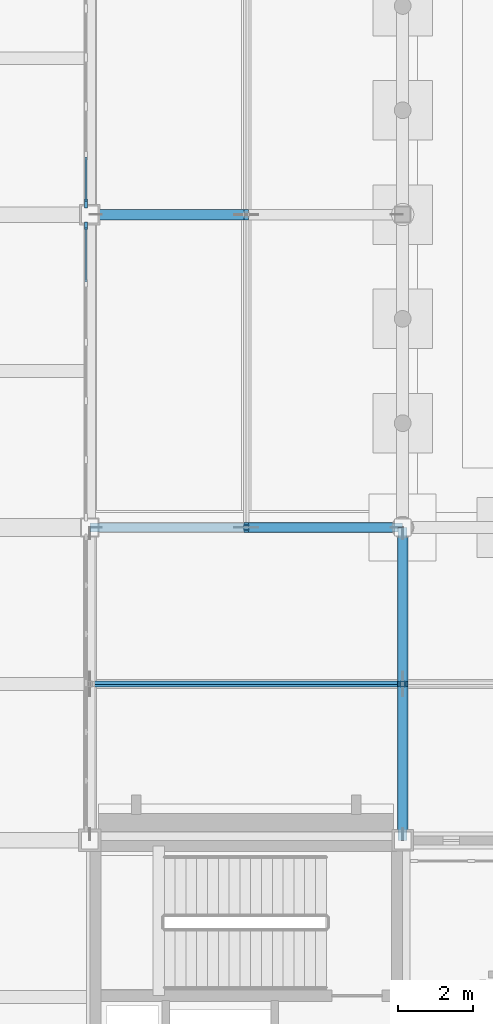
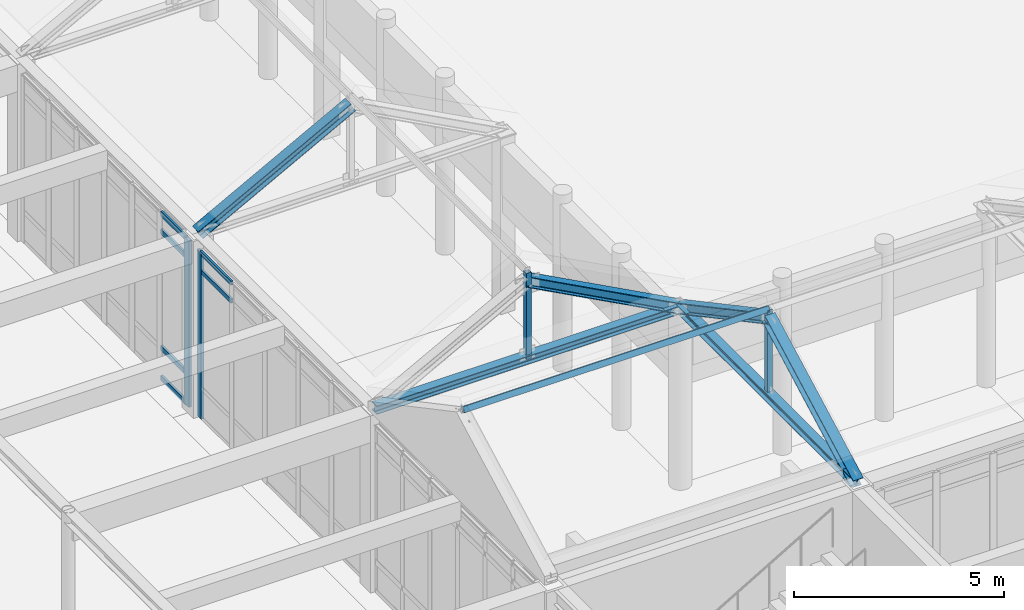
# One storey, part 39 of 143: 17 members, 2 elements without a shape of their own.
"""IFC4 building model written with IfcOpenShell, lengths in metres."""

from ifc_helpers import new_model, si_unit, direction, frame, origin, origin_2d, place, context, subcontext, project, spatial, rectangle, hollow_rectangle, i_section, extrude, material, layer, layer_set, material_profile, profile_set, type_object, element, aggregate, save


model = new_model("IFC4")

# Units and contexts
model_context = context("Model", 3, precision=1e-05, world=origin(), true_north=direction((0.0, 1.0)))
body_context = subcontext(model_context, "Body", "Model", "MODEL_VIEW")
ifc_project = project(units=[si_unit("LENGTHUNIT", "METRE"), si_unit("AREAUNIT", "SQUARE_METRE"), si_unit("VOLUMEUNIT", "CUBIC_METRE"), si_unit("PLANEANGLEUNIT", "RADIAN"), si_unit("MASSUNIT", "GRAM", prefix="KILO")], contexts=[model_context])

# Site, building, storey
site_placement = place(None, origin())
site = spatial("IfcSite", under=ifc_project, at=site_placement, CompositionType="ELEMENT")
building_placement = place(site_placement, origin())
building = spatial("IfcBuilding", under=site, at=building_placement, Name="Kveldsbrygga Polytechnic", CompositionType="ELEMENT")
storey_placement = place(building_placement, origin())
storey = spatial("IfcBuildingStorey", under=building, at=storey_placement, Name="L00", CompositionType="ELEMENT", Elevation=0.0)

# Curtain wall, member
ifc_material_1 = material(Name="Anodised aluminium AW-6060", Category="aluminium")
ifc_layer_1 = layer(ifc_material_1, 0.18994140625)
ifc_layer_set_1 = layer_set([ifc_layer_1], Name="Anodised aluminium AW-6060")
curtain_wall_type_1 = type_object("IfcCurtainWallType", Name="CW-REFC-G", PredefinedType="USERDEFINED", material=ifc_layer_set_1)
curtain_wall_1_placement = place(storey_placement, origin())
curtain_wall_1 = element("IfcCurtainWall", 1, at=curtain_wall_1_placement, inside=storey, type_object=curtain_wall_type_1, Name="Curtain Wall CW-L00-Y-09-04", ObjectType="UNITISED CURTAIN WALL", PredefinedType="USERDEFINED")
ifc_material_profile_1 = material_profile(ifc_material_1, rectangle(XDim=0.074951171875, YDim=0.199951171875, at=origin_2d()), Name="ALU 75x200")
ifc_profile_set_1 = profile_set([ifc_material_profile_1], Name="Anodised aluminium AW-6060")
member_type_1 = type_object("IfcMemberType", Name="CW-MUL-200", PredefinedType="MULLION", material=ifc_profile_set_1)
member_1_placement = place(storey_placement, frame((75.5, 41.702392578125, 0.0), z_axis=(0.0, 0.0, 1.0), x_axis=(-1.0, 0.0, 0.0)))
member_1 = element("IfcMember", 2, at=member_1_placement, type_object=member_type_1, Name="CW-07 mullion 6", PredefinedType="MULLION", context=body_context, shape_type="SweptSolid", body=[
    extrude(rectangle(XDim=0.074951171875, YDim=0.199951171875, at=origin_2d()), origin(), (0.0, 0.0, 1.0), 4.830078125),
])

ifc_layer_2 = layer(ifc_material_1, 0.2099609375)
ifc_layer_set_2 = layer_set([ifc_layer_2], Name="Anodised aluminium AW-6060")
curtain_wall_type_2 = type_object("IfcCurtainWallType", Name="CW-LIBR-H", PredefinedType="USERDEFINED", material=ifc_layer_set_2)
curtain_wall_2_placement = place(storey_placement, origin())
curtain_wall_2 = element("IfcCurtainWall", 3, at=curtain_wall_2_placement, inside=storey, type_object=curtain_wall_type_2, Name="Curtain Wall CW-L00-Y-09-05", ObjectType="UNITISED CURTAIN WALL", PredefinedType="USERDEFINED")
ifc_material_profile_2 = material_profile(ifc_material_1, rectangle(XDim=0.074951171875, YDim=0.239990234375, at=origin_2d()), Name="ALU 75x240")
ifc_profile_set_2 = profile_set([ifc_material_profile_2], Name="Anodised aluminium AW-6060")
member_type_2 = type_object("IfcMemberType", Name="CW-MUL-240", PredefinedType="MULLION", material=ifc_profile_set_2)
member_2_placement = place(storey_placement, frame((75.5, 42.297607421875, 0.0), z_axis=(0.0, 0.0, 1.0), x_axis=(-1.0, 0.0, 0.0)))
member_2 = element("IfcMember", 4, at=member_2_placement, type_object=member_type_2, Name="CW-08 mullion 1", PredefinedType="MULLION", context=body_context, shape_type="SweptSolid", body=[
    extrude(rectangle(XDim=0.074951171875, YDim=0.239990234375, at=origin_2d()), origin(), (0.0, 0.0, 1.0), 4.830078125),
])

# Member
ifc_material_profile_3 = material_profile(ifc_material_1, rectangle(XDim=0.06005859375, YDim=0.1201171875, at=origin_2d()), Name="ALU 60x120")
ifc_profile_set_3 = profile_set([ifc_material_profile_3], Name="Anodised aluminium AW-6060")
member_type_3 = type_object("IfcMemberType", Name="CW-TRN-120", PredefinedType="USERDEFINED", material=ifc_profile_set_3)
member_3_placement = place(storey_placement, frame((75.5, 40.196533203125, 4.280029296875), z_axis=(0.0, 1.0, 0.0), x_axis=(-1.0, 0.0, 0.0)))
member_3 = element("IfcMember", 5, at=member_3_placement, type_object=member_type_3, Name="CW-07 transom 5.3", ObjectType="TRANSOM", PredefinedType="USERDEFINED", context=body_context, shape_type="SweptSolid", body=[
    extrude(rectangle(XDim=0.06005859375, YDim=0.1201171875, at=origin_2d()), origin(), (0.0, 0.0, 1.0), 1.468505859375),
])

member_4_placement = place(storey_placement, frame((75.5, 40.196533203125, 4.800048828125), z_axis=(0.0, 1.0, 0.0), x_axis=(-1.0, 0.0, 0.0)))
member_4 = element("IfcMember", 6, at=member_4_placement, type_object=member_type_3, Name="CW-07 transom 5.4", ObjectType="TRANSOM", PredefinedType="USERDEFINED", context=body_context, shape_type="SweptSolid", body=[
    extrude(rectangle(XDim=0.06005859375, YDim=0.1201171875, at=origin_2d()), origin(), (0.0, 0.0, 1.0), 1.468505859375),
])

aggregate(curtain_wall_1, [member_1, member_3, member_4])

ifc_material_profile_4 = material_profile(ifc_material_1, rectangle(XDim=0.06005859375, YDim=0.14990234375, at=origin_2d()), Name="ALU 60x150")
ifc_profile_set_4 = profile_set([ifc_material_profile_4], Name="Anodised aluminium AW-6060")
member_type_4 = type_object("IfcMemberType", Name="CW-TRN-150", PredefinedType="USERDEFINED", material=ifc_profile_set_4)
member_5_placement = place(storey_placement, frame((75.5, 42.3349609375, 0.030029296875), z_axis=(0.0, 1.0, 0.0), x_axis=(-1.0, 0.0, 0.0)))
member_5 = element("IfcMember", 7, at=member_5_placement, type_object=member_type_4, Name="CW-08 transom 1.1", ObjectType="TRANSOM", PredefinedType="USERDEFINED", context=body_context, shape_type="SweptSolid", body=[
    extrude(rectangle(XDim=0.06005859375, YDim=0.14990234375, at=origin_2d()), origin(), (0.0, 0.0, 1.0), 1.206787109375),
])

member_6_placement = place(storey_placement, frame((75.5, 42.3349609375, 0.89990234375), z_axis=(0.0, 1.0, 0.0), x_axis=(-1.0, 0.0, 0.0)))
member_6 = element("IfcMember", 8, at=member_6_placement, type_object=member_type_4, Name="CW-08 transom 1.2", ObjectType="TRANSOM", PredefinedType="USERDEFINED", context=body_context, shape_type="SweptSolid", body=[
    extrude(rectangle(XDim=0.06005859375, YDim=0.14990234375, at=origin_2d()), origin(), (0.0, 0.0, 1.0), 1.206787109375),
])

member_7_placement = place(storey_placement, frame((75.5, 42.3349609375, 4.280029296875), z_axis=(0.0, 1.0, 0.0), x_axis=(-1.0, 0.0, 0.0)))
member_7 = element("IfcMember", 9, at=member_7_placement, type_object=member_type_4, Name="CW-08 transom 1.3", ObjectType="TRANSOM", PredefinedType="USERDEFINED", context=body_context, shape_type="SweptSolid", body=[
    extrude(rectangle(XDim=0.06005859375, YDim=0.14990234375, at=origin_2d()), origin(), (0.0, 0.0, 1.0), 1.206787109375),
])

member_8_placement = place(storey_placement, frame((75.5, 42.3349609375, 4.800048828125), z_axis=(0.0, 1.0, 0.0), x_axis=(-1.0, 0.0, 0.0)))
member_8 = element("IfcMember", 10, at=member_8_placement, type_object=member_type_4, Name="CW-08 transom 1.4", ObjectType="TRANSOM", PredefinedType="USERDEFINED", context=body_context, shape_type="SweptSolid", body=[
    extrude(rectangle(XDim=0.06005859375, YDim=0.14990234375, at=origin_2d()), origin(), (0.0, 0.0, 1.0), 1.206787109375),
])

aggregate(curtain_wall_2, [member_2, member_5, member_6, member_7, member_8])

# Members
ifc_material_2 = material(Name="Steel S355", Category="steel")
ifc_material_profile_5 = material_profile(ifc_material_2, hollow_rectangle(XDim=0.10009765625, YDim=0.14990234375, WallThickness=0.008056640625, at=origin_2d()), Name="RHS 150x100x8.0")
ifc_profile_set_5 = profile_set([ifc_material_profile_5], Name="Steel S355")
member_type_5 = type_object("IfcMemberType", Name="PRL-RHS150", PredefinedType="PURLIN", material=ifc_profile_set_5)
member_9_placement = place(storey_placement, frame((75.60009765625, 29.39990234375, 7.6337890625), z_axis=(1.0, 0.0, 0.0), x_axis=(0.0, 0.881479888517, -0.472221564671)))
element("IfcMember", 11, at=member_9_placement, inside=storey, type_object=member_type_5, Name="Roof Purlin ARC-ES-PRL-1-1", PredefinedType="PURLIN", context=body_context, shape_type="SweptSolid", body=[
    extrude(hollow_rectangle(XDim=0.10009765625, YDim=0.14990234375, WallThickness=0.008056640625, at=origin_2d()), origin(), (0.0, 0.0, 1.0), 8.39990234375),
])
ifc_material_profile_6 = material_profile(ifc_material_2, i_section(OverallWidth=0.239990234375, OverallDepth=0.239990234375, WebThickness=0.010009765625, FlangeThickness=0.01708984375, FilletRadius=0.02099609375, at=origin_2d()), Name="HEB 240")
ifc_profile_set_6 = profile_set([ifc_material_profile_6], Name="Steel S355")
member_type_6 = type_object("IfcMemberType", Name="TR-BOT-HEB240", PredefinedType="CHORD", material=ifc_profile_set_6)
member_10_placement = place(storey_placement, frame((84.0, 25.199951171875, 5.139892578125), z_axis=(0.0, 1.0, 0.0), x_axis=(-1.0, 0.0, 0.0)))
element("IfcMember", 12, at=member_10_placement, inside=storey, type_object=member_type_6, Name="Truss Bottom Chord ARC-ES-T02-BC-1", PredefinedType="CHORD", context=body_context, shape_type="SweptSolid", body=[
    extrude(i_section(OverallWidth=0.239990234375, OverallDepth=0.239990234375, WebThickness=0.010009765625, FlangeThickness=0.01708984375, FilletRadius=0.02099609375, at=origin_2d()), origin(), (0.0, 0.0, 1.0), 8.400146484375),
])
member_11_placement = place(storey_placement, frame((75.60009765625, 33.60009765625, 5.139892578125), z_axis=(1.0, 0.0, 0.0), x_axis=(0.0, 1.0, 0.0)))
element("IfcMember", 13, at=member_11_placement, inside=storey, type_object=member_type_6, Name="Truss Bottom Chord ARC-EW-T01-BC-1", PredefinedType="CHORD", context=body_context, shape_type="SweptSolid", body=[
    extrude(i_section(OverallWidth=0.239990234375, OverallDepth=0.239990234375, WebThickness=0.010009765625, FlangeThickness=0.01708984375, FilletRadius=0.02099609375, at=origin_2d()), origin(), (0.0, 0.0, 1.0), 8.39990234375),
])
ifc_material_profile_7 = material_profile(ifc_material_2, hollow_rectangle(XDim=0.139892578125, YDim=0.139892578125, WallThickness=0.008056640625, at=origin_2d()), Name="SHS 140x140x8.0")
ifc_profile_set_7 = profile_set([ifc_material_profile_7], Name="Steel S355")
member_type_7 = type_object("IfcMemberType", Name="TR-POST-SHS140", PredefinedType="STRUT", material=ifc_profile_set_7)
for number, where, z_axis, x_axis, name in (
    (14, (84.0, 29.39990234375, 5.139892578125), (0.0, 0.0, 1.0), (1.0, 0.0, 0.0), "Truss Vertical ARC-ES-T02-VT-1"),
    (15, (79.800048828125, 33.60009765625, 5.139892578125), (0.0, 0.0, 1.0), (1.0, 0.0, 0.0), "Truss Vertical ARC-EW-T01-VT-1"),
):
    element("IfcMember", number, at=place(storey_placement, frame(where, z_axis=z_axis, x_axis=x_axis)), inside=storey, type_object=member_type_7, Name=name, PredefinedType="STRUT", context=body_context, shape_type="SweptSolid", body=[
        extrude(hollow_rectangle(XDim=0.139892578125, YDim=0.139892578125, WallThickness=0.008056640625, at=origin_2d()), origin(), (0.0, 0.0, 1.0), 2.493896484375),
    ])
ifc_material_profile_8 = material_profile(ifc_material_2, i_section(OverallWidth=0.280029296875, OverallDepth=0.280029296875, WebThickness=0.010498046875, FlangeThickness=0.01806640625, FilletRadius=0.02392578125, at=origin_2d()), Name="HEB 280")
ifc_profile_set_8 = profile_set([ifc_material_profile_8], Name="Steel S355")
member_type_8 = type_object("IfcMemberType", Name="TR-TOP-HEB280", PredefinedType="CHORD", material=ifc_profile_set_8)
member_12_placement = place(storey_placement, frame((84.0, 25.199951171875, 5.139892578125), z_axis=(0.0, 0.881477684796, 0.472225678258), x_axis=(-1.0, 0.0, 0.0)))
element("IfcMember", 16, at=member_12_placement, inside=storey, type_object=member_type_8, Name="Truss Top Chord ARC-ES-T02-TC-1", PredefinedType="CHORD", context=body_context, shape_type="SweptSolid", body=[
    extrude(i_section(OverallWidth=0.280029296875, OverallDepth=0.280029296875, WebThickness=0.010498046875, FlangeThickness=0.01806640625, FilletRadius=0.02392578125, at=origin_2d()), origin(), (0.0, 0.0, 1.0), 4.7646484375),
])
member_13_placement = place(storey_placement, frame((84.0, 29.39990234375, 7.389892578125), z_axis=(0.0, 0.881489110341, -0.472204350203), x_axis=(-1.0, 0.0, 0.0)))
element("IfcMember", 17, at=member_13_placement, inside=storey, type_object=member_type_8, Name="Truss Top Chord ARC-ES-T02-TC-2", PredefinedType="CHORD", context=body_context, shape_type="SweptSolid", body=[
    extrude(i_section(OverallWidth=0.280029296875, OverallDepth=0.280029296875, WebThickness=0.010498046875, FlangeThickness=0.01806640625, FilletRadius=0.02392578125, at=origin_2d()), origin(), (0.0, 0.0, 1.0), 4.764892578125),
])
for number, where, z_axis, x_axis, name in (
    (18, (79.800048828125, 33.60009765625, 7.389892578125), (0.881477684796, 0.0, -0.472225678258), (0.0, 1.0, 0.0), "Truss Top Chord ARC-EW-T01-TC-2"),
    (19, (75.60009765625, 42.0, 5.139892578125), (0.881477684796, 0.0, 0.472225678258), (0.0, 1.0, 0.0), "Truss Top Chord ARC-EW-T02-TC-1"),
):
    element("IfcMember", number, at=place(storey_placement, frame(where, z_axis=z_axis, x_axis=x_axis)), inside=storey, type_object=member_type_8, Name=name, PredefinedType="CHORD", context=body_context, shape_type="SweptSolid", body=[
        extrude(i_section(OverallWidth=0.280029296875, OverallDepth=0.280029296875, WebThickness=0.010498046875, FlangeThickness=0.01806640625, FilletRadius=0.02392578125, at=origin_2d()), origin(), (0.0, 0.0, 1.0), 4.7646484375),
    ])

save(model, "model.ifc")
